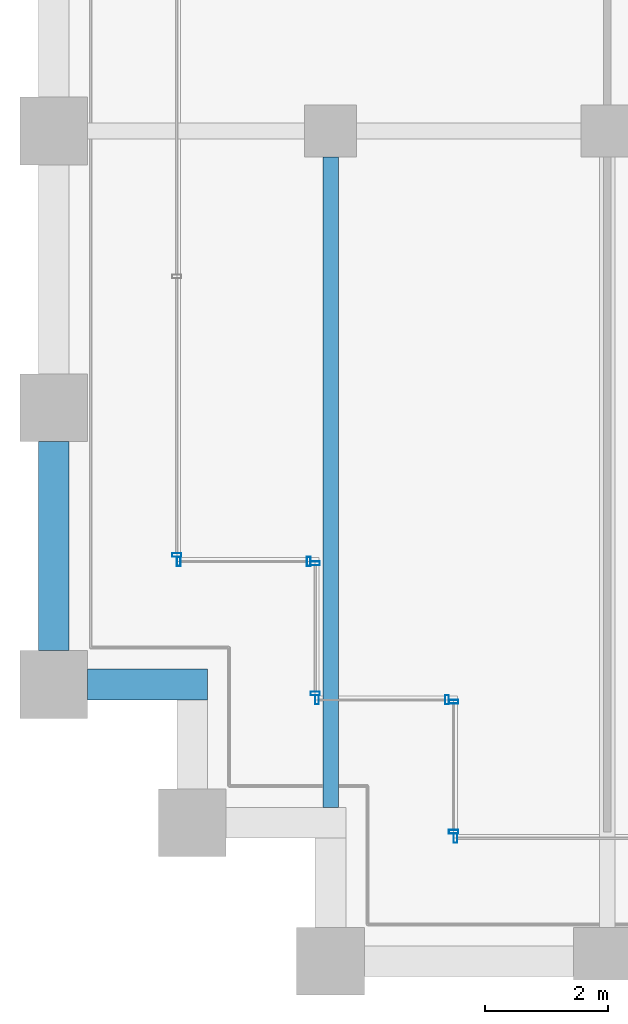
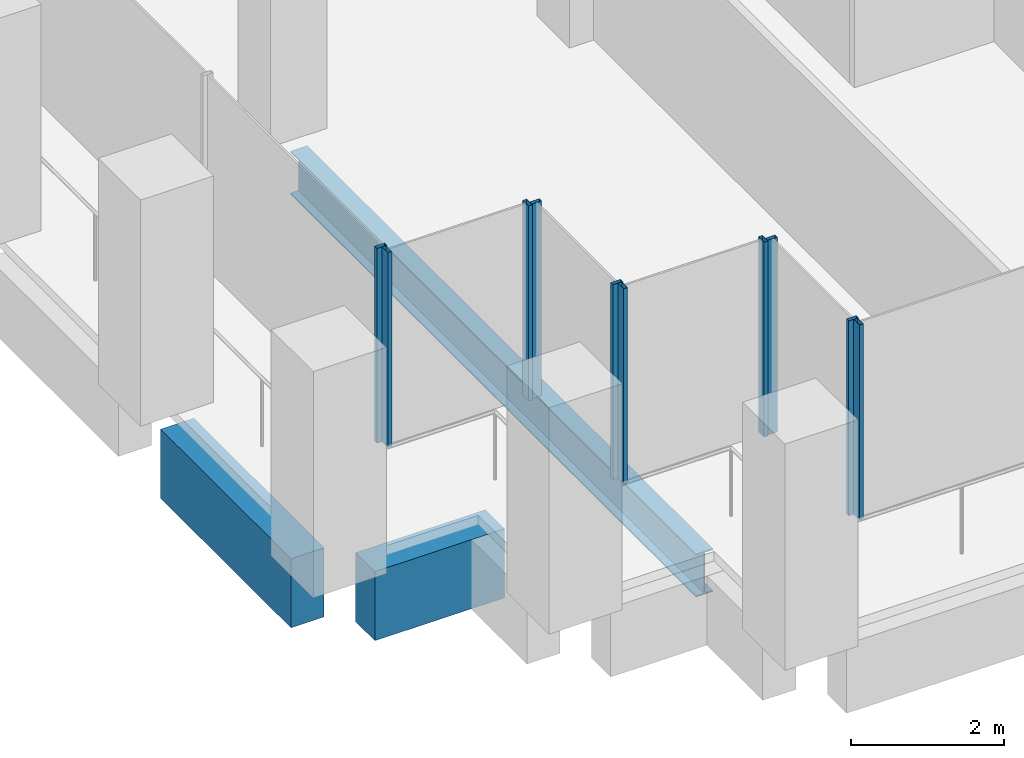
# One storey, part 2 of 54: 10 members, 3 beams, 6 elements without a shape of their own.
"""IFC4 building model written with IfcOpenShell, lengths in metres."""

from ifc_helpers import new_model, si_unit, direction, frame, origin, origin_2d, place, context, subcontext, project, spatial, rectangle, hollow_rectangle, i_section, extrude, material, material_profile, profile_set, type_object, element, aggregate, save


model = new_model("IFC4")

# Units and contexts
model_context = context("Model", 3, precision=1e-05, world=origin(), true_north=direction((0.0, 1.0)))
body_context = subcontext(model_context, "Body", "Model", "MODEL_VIEW")
ifc_project = project(units=[si_unit("LENGTHUNIT", "METRE"), si_unit("AREAUNIT", "SQUARE_METRE"), si_unit("VOLUMEUNIT", "CUBIC_METRE"), si_unit("PLANEANGLEUNIT", "RADIAN"), si_unit("MASSUNIT", "GRAM", prefix="KILO")], contexts=[model_context])

# Site, building, storey
site_placement = place(None, origin())
site = spatial("IfcSite", under=ifc_project, at=site_placement, CompositionType="ELEMENT")
building_placement = place(site_placement, origin())
building = spatial("IfcBuilding", under=site, at=building_placement, Name="Altepetl Exchange Towers", CompositionType="ELEMENT")
storey_placement = place(building_placement, frame((0.0, 0.0, 61.800048828125)))
storey = spatial("IfcBuildingStorey", under=building, at=storey_placement, Name="L14", CompositionType="ELEMENT", Elevation=61.800048828125)

# Beam
ifc_material_1 = material(Name="Steel S355", Category="steel")
ifc_material_profile_1 = material_profile(ifc_material_1, i_section(OverallWidth=0.25390625, OverallDepth=0.68408203125, WebThickness=0.012451171875, FlangeThickness=0.018798828125, at=origin_2d()), Name="W27X94")
ifc_profile_set_1 = profile_set([ifc_material_profile_1], Name="Steel S355")
beam_type_1 = type_object("IfcBeamType", Name="Floor beam W27X94", PredefinedType="BEAM", material=ifc_profile_set_1)
beam_1_placement = place(storey_placement, frame((31.5, 29.5, -0.491943359375), z_axis=(0.0, 1.0, 0.0), x_axis=(-1.0, 0.0, 0.0)))
element("IfcBeam", 1, at=beam_1_placement, inside=storey, type_object=beam_type_1, Name="bm:A:L14:012", PredefinedType="BEAM", context=body_context, shape_type="SweptSolid", body=[
    extrude(i_section(OverallWidth=0.25390625, OverallDepth=0.68408203125, WebThickness=0.012451171875, FlangeThickness=0.018798828125, at=origin_2d()), origin(), (0.0, 0.0, 1.0), 10.574951171875),
])

# Curtain wall, member
ifc_material_2 = material(Name="Aluminium 6063-T6 glazing", Category="aluminium")
curtain_wall_type = type_object("IfcCurtainWallType", Name="Loggia glazing system", PredefinedType="NOTDEFINED", material=ifc_material_2)
curtain_wall_1_placement = place(storey_placement, origin())
curtain_wall_1 = element("IfcCurtainWall", 2, at=curtain_wall_1_placement, inside=storey, type_object=curtain_wall_type, Name="CW1 run", PredefinedType="NOTDEFINED")
ifc_material_3 = material(Name="Aluminium 6063-T6", Category="aluminium")
ifc_material_profile_2 = material_profile(ifc_material_3, hollow_rectangle(XDim=0.06005859375, YDim=0.14990234375, WallThickness=0.0029296875, at=origin_2d()), Name="Mullion 60x150 aluminium")
ifc_profile_set_2 = profile_set([ifc_material_profile_2], Name="Aluminium 6063-T6")
member_type = type_object("IfcMemberType", Name="Mullion 60x150 aluminium", PredefinedType="MULLION", material=ifc_profile_set_2)
member_1_placement = place(storey_placement, frame((29.0, 33.60498046875, 0.0), z_axis=(0.0, 0.0, 1.0), x_axis=(0.0, -1.0, 0.0)))
member_1 = element("IfcMember", 3, at=member_1_placement, type_object=member_type, Name="MU1 mullion", PredefinedType="MULLION", context=body_context, shape_type="SweptSolid", body=[
    extrude(hollow_rectangle(XDim=0.06005859375, YDim=0.14990234375, WallThickness=0.0029296875, at=origin_2d()), origin(), (0.0, 0.0, 1.0), 3.099853515625),
])
aggregate(curtain_wall_1, [member_1])

# Curtain wall, members
curtain_wall_2_placement = place(storey_placement, origin())
curtain_wall_2 = element("IfcCurtainWall", 4, at=curtain_wall_2_placement, inside=storey, type_object=curtain_wall_type, Name="CW1 run", PredefinedType="NOTDEFINED")
member_2_placement = place(storey_placement, frame((29.030029296875, 33.5, 0.0)))
member_2 = element("IfcMember", 5, at=member_2_placement, type_object=member_type, Name="MU1 mullion", PredefinedType="MULLION", context=body_context, shape_type="SweptSolid", body=[
    extrude(hollow_rectangle(XDim=0.06005859375, YDim=0.14990234375, WallThickness=0.0029296875, at=origin_2d()), origin(), (0.0, 0.0, 1.0), 3.099853515625),
])
member_3_placement = place(storey_placement, frame((31.14501953125, 33.5, 0.0)))
member_3 = element("IfcMember", 6, at=member_3_placement, type_object=member_type, Name="MU1 mullion", PredefinedType="MULLION", context=body_context, shape_type="SweptSolid", body=[
    extrude(hollow_rectangle(XDim=0.06005859375, YDim=0.14990234375, WallThickness=0.0029296875, at=origin_2d()), origin(), (0.0, 0.0, 1.0), 3.099853515625),
])
aggregate(curtain_wall_2, [member_2, member_3])

curtain_wall_3_placement = place(storey_placement, origin())
curtain_wall_3 = element("IfcCurtainWall", 7, at=curtain_wall_3_placement, inside=storey, type_object=curtain_wall_type, Name="CW1 run", PredefinedType="NOTDEFINED")
member_4_placement = place(storey_placement, frame((31.25, 33.469970703125, 0.0), z_axis=(0.0, 0.0, 1.0), x_axis=(0.0, -1.0, 0.0)))
member_4 = element("IfcMember", 8, at=member_4_placement, type_object=member_type, Name="MU1 mullion", PredefinedType="MULLION", context=body_context, shape_type="SweptSolid", body=[
    extrude(hollow_rectangle(XDim=0.06005859375, YDim=0.14990234375, WallThickness=0.0029296875, at=origin_2d()), origin(), (0.0, 0.0, 1.0), 3.099853515625),
])
member_5_placement = place(storey_placement, frame((31.25, 31.35498046875, 0.0), z_axis=(0.0, 0.0, 1.0), x_axis=(0.0, -1.0, 0.0)))
member_5 = element("IfcMember", 9, at=member_5_placement, type_object=member_type, Name="MU1 mullion", PredefinedType="MULLION", context=body_context, shape_type="SweptSolid", body=[
    extrude(hollow_rectangle(XDim=0.06005859375, YDim=0.14990234375, WallThickness=0.0029296875, at=origin_2d()), origin(), (0.0, 0.0, 1.0), 3.099853515625),
])
aggregate(curtain_wall_3, [member_4, member_5])

curtain_wall_4_placement = place(storey_placement, origin())
curtain_wall_4 = element("IfcCurtainWall", 10, at=curtain_wall_4_placement, inside=storey, type_object=curtain_wall_type, Name="CW1 run", PredefinedType="NOTDEFINED")
member_6_placement = place(storey_placement, frame((31.280029296875, 31.25, 0.0)))
member_6 = element("IfcMember", 11, at=member_6_placement, type_object=member_type, Name="MU1 mullion", PredefinedType="MULLION", context=body_context, shape_type="SweptSolid", body=[
    extrude(hollow_rectangle(XDim=0.06005859375, YDim=0.14990234375, WallThickness=0.0029296875, at=origin_2d()), origin(), (0.0, 0.0, 1.0), 3.099853515625),
])
member_7_placement = place(storey_placement, frame((33.39501953125, 31.25, 0.0)))
member_7 = element("IfcMember", 12, at=member_7_placement, type_object=member_type, Name="MU1 mullion", PredefinedType="MULLION", context=body_context, shape_type="SweptSolid", body=[
    extrude(hollow_rectangle(XDim=0.06005859375, YDim=0.14990234375, WallThickness=0.0029296875, at=origin_2d()), origin(), (0.0, 0.0, 1.0), 3.099853515625),
])
aggregate(curtain_wall_4, [member_6, member_7])

curtain_wall_5_placement = place(storey_placement, origin())
curtain_wall_5 = element("IfcCurtainWall", 13, at=curtain_wall_5_placement, inside=storey, type_object=curtain_wall_type, Name="CW1 run", PredefinedType="NOTDEFINED")
member_8_placement = place(storey_placement, frame((33.5, 31.219970703125, 0.0), z_axis=(0.0, 0.0, 1.0), x_axis=(0.0, -1.0, 0.0)))
member_8 = element("IfcMember", 14, at=member_8_placement, type_object=member_type, Name="MU1 mullion", PredefinedType="MULLION", context=body_context, shape_type="SweptSolid", body=[
    extrude(hollow_rectangle(XDim=0.06005859375, YDim=0.14990234375, WallThickness=0.0029296875, at=origin_2d()), origin(), (0.0, 0.0, 1.0), 3.099853515625),
])
member_9_placement = place(storey_placement, frame((33.5, 29.10498046875, 0.0), z_axis=(0.0, 0.0, 1.0), x_axis=(0.0, -1.0, 0.0)))
member_9 = element("IfcMember", 15, at=member_9_placement, type_object=member_type, Name="MU1 mullion", PredefinedType="MULLION", context=body_context, shape_type="SweptSolid", body=[
    extrude(hollow_rectangle(XDim=0.06005859375, YDim=0.14990234375, WallThickness=0.0029296875, at=origin_2d()), origin(), (0.0, 0.0, 1.0), 3.099853515625),
])
aggregate(curtain_wall_5, [member_8, member_9])

# Curtain wall, member
curtain_wall_6_placement = place(storey_placement, origin())
curtain_wall_6 = element("IfcCurtainWall", 16, at=curtain_wall_6_placement, inside=storey, type_object=curtain_wall_type, Name="CW1 run", PredefinedType="NOTDEFINED")
member_10_placement = place(storey_placement, frame((33.530029296875, 29.0, 0.0)))
member_10 = element("IfcMember", 17, at=member_10_placement, type_object=member_type, Name="MU1 mullion", PredefinedType="MULLION", context=body_context, shape_type="SweptSolid", body=[
    extrude(hollow_rectangle(XDim=0.06005859375, YDim=0.14990234375, WallThickness=0.0029296875, at=origin_2d()), origin(), (0.0, 0.0, 1.0), 3.099853515625),
])
aggregate(curtain_wall_6, [member_10])

# Beams
ifc_material_4 = material(Name="Concrete C50/60 precast with cantera blanca facing", Category="concrete")
ifc_material_profile_3 = material_profile(ifc_material_4, rectangle(XDim=0.5, YDim=1.10009765625, at=origin_2d()), Name="500 x 1100")
ifc_profile_set_3 = profile_set([ifc_material_profile_3], Name="Concrete C50/60 precast with cantera blanca facing")
beam_type_2 = type_object("IfcBeamType", Name="Spandrel beam 500x1100 cantera blanca", PredefinedType="SPANDREL", material=ifc_profile_set_3)
beam_2_placement = place(storey_placement, frame((27.0, 35.449951171875, -0.699951171875), z_axis=(0.0, -1.0, 0.0), x_axis=(1.0, 0.0, 0.0)))
element("IfcBeam", 18, at=beam_2_placement, inside=storey, type_object=beam_type_2, Name="sp:A:L14:043", PredefinedType="SPANDREL", context=body_context, shape_type="SweptSolid", body=[
    extrude(rectangle(XDim=0.5, YDim=1.10009765625, at=origin_2d()), origin(), (0.0, 0.0, 1.0), 3.39990234375),
])
beam_3_placement = place(storey_placement, frame((27.550048828125, 31.5, -0.699951171875), z_axis=(1.0, 0.0, 0.0), x_axis=(0.0, 1.0, 0.0)))
element("IfcBeam", 19, at=beam_3_placement, inside=storey, type_object=beam_type_2, Name="sp:A:L14:044", PredefinedType="SPANDREL", context=body_context, shape_type="SweptSolid", body=[
    extrude(rectangle(XDim=0.5, YDim=1.10009765625, at=origin_2d()), origin(), (0.0, 0.0, 1.0), 1.949951171875),
])

save(model, "model.ifc")
